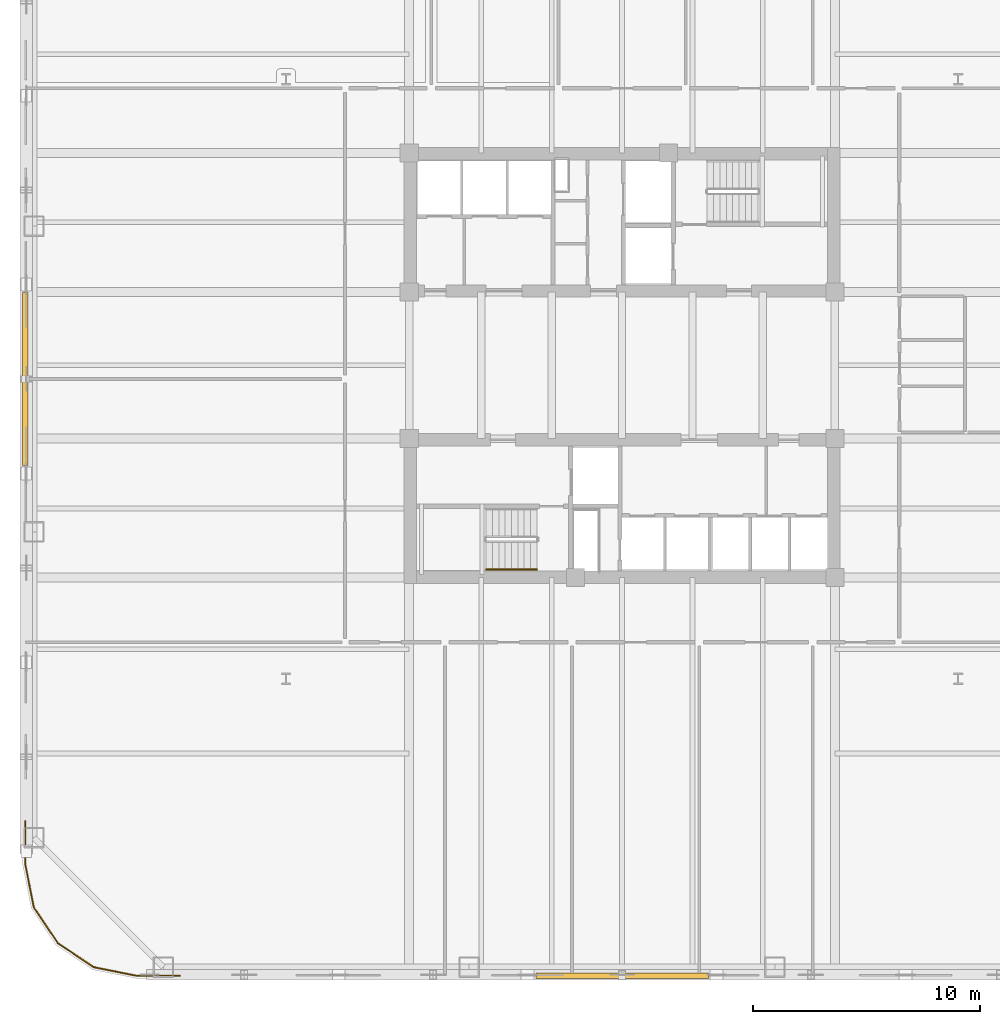
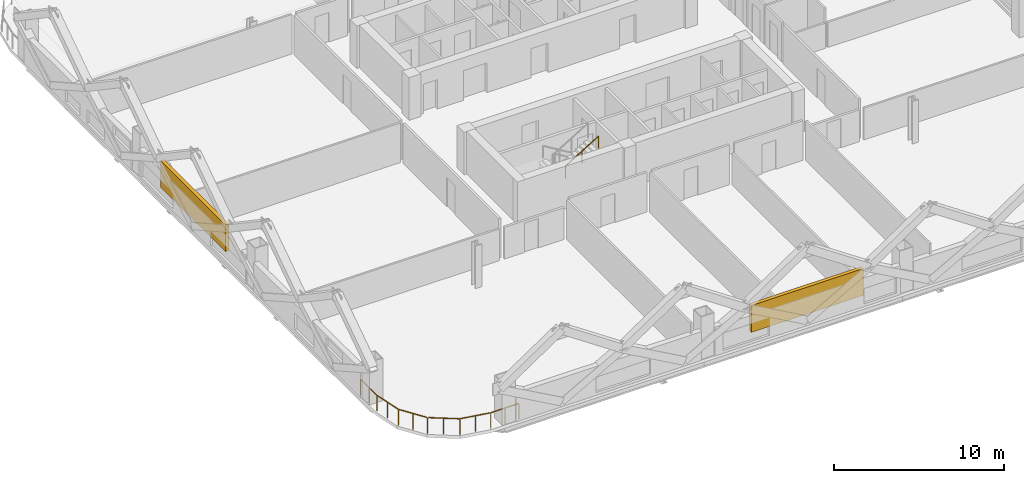
# One storey, part 9 of 14: 2 railings, 2 shading devices.
"""IFC4 building model written with IfcOpenShell, lengths in metres."""

from ifc_helpers import new_model, si_unit, direction, frame, origin, origin_2d, place, context, subcontext, project, spatial, rectangle, extrude, material, type_object, element, save


model = new_model("IFC4")

# Units and contexts
model_context = context("Model", 3, precision=1e-05, world=origin(), true_north=direction((0.0, 1.0)))
body_context = subcontext(model_context, "Body", "Model", "MODEL_VIEW")
ifc_project = project(units=[si_unit("LENGTHUNIT", "METRE"), si_unit("AREAUNIT", "SQUARE_METRE"), si_unit("VOLUMEUNIT", "CUBIC_METRE"), si_unit("PLANEANGLEUNIT", "RADIAN"), si_unit("MASSUNIT", "GRAM", prefix="KILO")], contexts=[model_context])

# Site, building, storey
site_placement = place(None, origin())
site = spatial("IfcSite", under=ifc_project, at=site_placement, CompositionType="ELEMENT")
building_placement = place(site_placement, origin())
building = spatial("IfcBuilding", under=site, at=building_placement, Name="Qhalaya Broadcast Tower", CompositionType="ELEMENT")
storey_placement = place(building_placement, frame((0.0, 0.0, 38.300048828125)))
storey = spatial("IfcBuildingStorey", under=building, at=storey_placement, Name="L10", CompositionType="ELEMENT", Elevation=38.300048828125)

# Railings
ifc_material_1 = material(Name="Powder-Coated Galvanised Steel", Category="steel")
railing_type_1 = type_object("IfcRailingType", Name="Stair Wall Handrail 900", PredefinedType="HANDRAIL", material=ifc_material_1)
railing_1_placement = place(storey_placement, frame((-5.989990234375, -8.389892578125, 1.6943359375)))
element("IfcRailing", 1, at=railing_1_placement, inside=storey, type_object=railing_type_1, Name="L10 ST-2 Stair Handrail 2", PredefinedType="HANDRAIL", context=body_context, shape_type="SweptSolid", body=[
    extrude(rectangle(XDim=0.048095703125, YDim=0.048095703125, at=origin_2d()), frame((0.0, 0.0, 0.8759765625), z_axis=(0.855512035549, 0.0, 0.517782924622), x_axis=(0.0, 1.0, 0.0)), (0.0, 0.0, 1.0), 2.618408203125),
    extrude(rectangle(XDim=0.0419921875, YDim=0.0419921875, at=origin_2d()), origin(), (0.0, 0.0, 1.0), 0.849853515625),
    extrude(rectangle(XDim=0.0419921875, YDim=0.0419921875, at=origin_2d()), frame((1.1201171875, 0.0, 0.677734375)), (0.0, 0.0, 1.0), 0.849853515625),
    extrude(rectangle(XDim=0.0419921875, YDim=0.0419921875, at=origin_2d()), frame((2.239990234375, 0.0, 1.355712890625)), (0.0, 0.0, 1.0), 0.849853515625),
])
railing_type_2 = type_object("IfcRailingType", Name="Terrace, Sky-Pool & Lookout Glass Balustrade 1150", PredefinedType="BALUSTRADE", material=ifc_material_1)
railing_2_placement = place(storey_placement, frame((-19.48193359375, -26.280029296875, 0.0)))
element("IfcRailing", 2, at=railing_2_placement, inside=storey, type_object=railing_type_2, Name="L10 Rounded Corner Perimeter Guard 02", PredefinedType="BALUSTRADE", context=body_context, shape_type="SweptSolid", body=[
    extrude(rectangle(XDim=0.048095703125, YDim=0.048095703125, at=origin_2d()), frame((0.0, 0.0, 1.1259765625), z_axis=(-1.0, 0.0, 0.0), x_axis=(0.0, -1.0, 0.0)), (0.0, 0.0, 1.0), 1.87744140625),
    extrude(rectangle(XDim=0.048095703125, YDim=0.048095703125, at=origin_2d()), frame((-1.9345703125, 0.005615234375, 1.1259765625), z_axis=(-0.980795810058, 0.195037378397, 0.0), x_axis=(-0.195037378397, -0.980795810058, 0.0)), (0.0, 0.0, 1.0), 1.857421875),
    extrude(rectangle(XDim=0.048095703125, YDim=0.048095703125, at=origin_2d()), frame((-3.80859375, 0.3896484375, 1.1259765625), z_axis=(-0.831477548332, 0.555558355728, 0.0), x_axis=(-0.555558355728, -0.831477548332, 0.0)), (0.0, 0.0, 1.0), 1.845458984375),
    extrude(rectangle(XDim=0.048095703125, YDim=0.048095703125, at=origin_2d()), frame((-5.38330078125, 1.454833984375, 1.1259765625), z_axis=(-0.555558355728, 0.831477548332, 0.0), x_axis=(-0.831477548332, -0.555558355728, 0.0)), (0.0, 0.0, 1.0), 1.845458984375),
    extrude(rectangle(XDim=0.048095703125, YDim=0.048095703125, at=origin_2d()), frame((-6.43017578125, 3.041748046875, 1.1259765625), z_axis=(-0.195037378397, 0.980795810058, 0.0), x_axis=(-0.980795810058, -0.195037378397, 0.0)), (0.0, 0.0, 1.0), 1.857421875),
    extrude(rectangle(XDim=0.048095703125, YDim=0.048095703125, at=origin_2d()), frame((-6.798095703125, 4.920654296875, 1.1259765625), z_axis=(0.0, 1.0, 0.0), x_axis=(-1.0, 0.0, 0.0)), (0.0, 0.0, 1.0), 1.87744140625),
    extrude(rectangle(XDim=0.0419921875, YDim=0.0419921875, at=origin_2d()), origin(), (0.0, 0.0, 1.0), 1.099853515625),
    extrude(rectangle(XDim=0.0419921875, YDim=0.0419921875, at=origin_2d()), frame((-0.953125, 0.0, 0.0)), (0.0, 0.0, 1.0), 1.099853515625),
    extrude(rectangle(XDim=0.0419921875, YDim=0.0419921875, at=origin_2d()), frame((-1.90625, 0.0, 0.0)), (0.0, 0.0, 1.0), 1.099853515625),
    extrude(rectangle(XDim=0.0419921875, YDim=0.0419921875, at=origin_2d()), frame((-2.845458984375, 0.186767578125, 0.0)), (0.0, 0.0, 1.0), 1.099853515625),
    extrude(rectangle(XDim=0.0419921875, YDim=0.0419921875, at=origin_2d()), frame((-3.78466796875, 0.37353515625, 0.0)), (0.0, 0.0, 1.0), 1.099853515625),
    extrude(rectangle(XDim=0.0419921875, YDim=0.0419921875, at=origin_2d()), frame((-4.575927734375, 0.90234375, 0.0)), (0.0, 0.0, 1.0), 1.099853515625),
    extrude(rectangle(XDim=0.0419921875, YDim=0.0419921875, at=origin_2d()), frame((-5.3671875, 1.430908203125, 0.0)), (0.0, 0.0, 1.0), 1.099853515625),
    extrude(rectangle(XDim=0.0419921875, YDim=0.0419921875, at=origin_2d()), frame((-5.89599609375, 2.22216796875, 0.0)), (0.0, 0.0, 1.0), 1.099853515625),
    extrude(rectangle(XDim=0.0419921875, YDim=0.0419921875, at=origin_2d()), frame((-6.424560546875, 3.013427734375, 0.0)), (0.0, 0.0, 1.0), 1.099853515625),
    extrude(rectangle(XDim=0.0419921875, YDim=0.0419921875, at=origin_2d()), frame((-6.611328125, 3.95263671875, 0.0)), (0.0, 0.0, 1.0), 1.099853515625),
    extrude(rectangle(XDim=0.0419921875, YDim=0.0419921875, at=origin_2d()), frame((-6.798095703125, 4.891845703125, 0.0)), (0.0, 0.0, 1.0), 1.099853515625),
    extrude(rectangle(XDim=0.0419921875, YDim=0.0419921875, at=origin_2d()), frame((-6.798095703125, 5.844970703125, 0.0)), (0.0, 0.0, 1.0), 1.099853515625),
    extrude(rectangle(XDim=0.0419921875, YDim=0.0419921875, at=origin_2d()), frame((-6.798095703125, 6.798095703125, 0.0)), (0.0, 0.0, 1.0), 1.099853515625),
])

# Shading devices
ifc_material_2 = material(Name="Fired Architectural Terracotta", Category="masonry")
shading_device_type = type_object("IfcShadingDeviceType", Name="Terracotta Baguette Solar Screen Assembly TBS-01", PredefinedType="USERDEFINED", material=ifc_material_2)
for number, where, z_axis, x_axis, name in (
    (3, (0.0, -26.280029296875, 0.79248046875), (0.0, 0.0, 1.0), (1.0, 0.0, 0.0), "L10 Fired Terracotta Baguette Screen S"),
    (4, (-26.280029296875, 0.0, 0.79248046875), (0.0, 0.0, 1.0), (0.0, -1.0, 0.0), "L10 Fired Terracotta Baguette Screen W"),
):
    element("IfcShadingDevice", number, at=place(storey_placement, frame(where, z_axis=z_axis, x_axis=x_axis)), inside=storey, type_object=shading_device_type, Name=name, ObjectType="BAGUETTE", PredefinedType="USERDEFINED", context=body_context, shape_type="SweptSolid", body=[
        extrude(rectangle(XDim=7.60009765625, YDim=0.239990234375, at=origin_2d()), origin(), (0.0, 0.0, 1.0), 1.924072265625),
    ])

save(model, "model.ifc")
